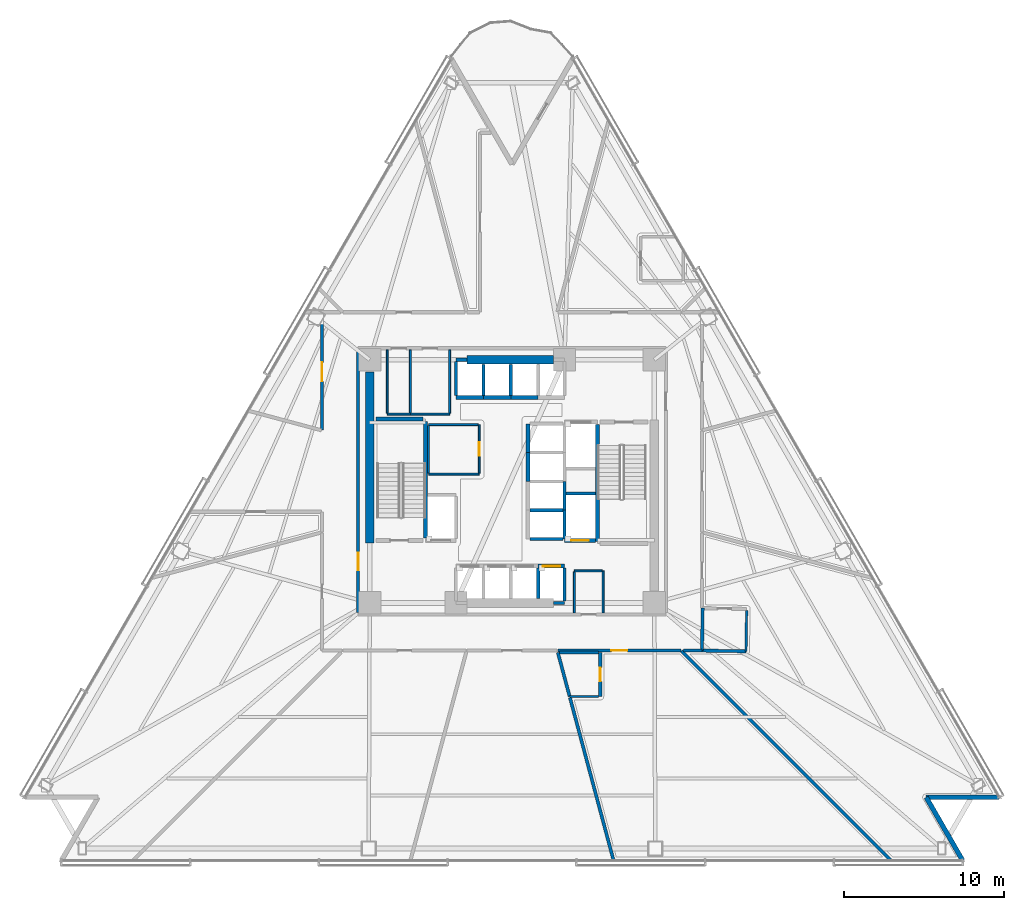
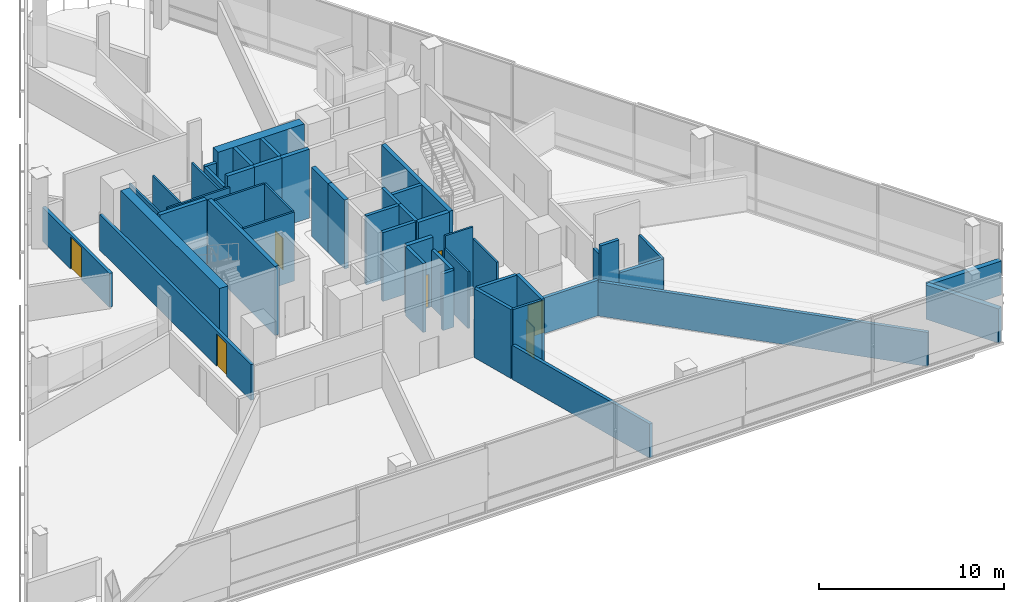
# One storey, part 8 of 17: 51 walls, 7 doors, 7 openings.
"""IFC4 building model written with IfcOpenShell, lengths in metres."""

from ifc_helpers import new_model, si_unit, direction, frame, frame_2d, origin, place, context, subcontext, project, spatial, rectangle, extrude, material, layer, layer_set, type_object, element, fill, save


model = new_model("IFC4")

# Units and contexts
model_context = context("Model", 3, precision=1e-05, world=origin(), true_north=direction((0.0, 1.0)))
body_context = subcontext(model_context, "Body", "Model", "MODEL_VIEW")
ifc_project = project(units=[si_unit("LENGTHUNIT", "METRE"), si_unit("AREAUNIT", "SQUARE_METRE"), si_unit("VOLUMEUNIT", "CUBIC_METRE"), si_unit("PLANEANGLEUNIT", "RADIAN"), si_unit("MASSUNIT", "GRAM", prefix="KILO")], contexts=[model_context])

# Site, building, storey
site_placement = place(None, origin())
site = spatial("IfcSite", under=ifc_project, at=site_placement, CompositionType="ELEMENT")
building_placement = place(site_placement, origin())
building = spatial("IfcBuilding", under=site, at=building_placement, Name="Tharavind Bronze Gate", CompositionType="ELEMENT")
storey_placement = place(building_placement, frame((0.0, 0.0, 52.25)))
storey = spatial("IfcBuildingStorey", under=building, at=storey_placement, Name="L12", CompositionType="ELEMENT", Elevation=52.25)

# Walls
ifc_material_1 = material(Name="Concrete C40/50", Category="concrete")
ifc_layer_1 = layer(ifc_material_1, 0.300048828125)
ifc_layer_set_1 = layer_set([ifc_layer_1], Name="Concrete C40/50")
wall_type_1 = type_object("IfcWallType", Name="EXTERIOR SPANDREL WALL 300", PredefinedType="STANDARD", material=ifc_layer_set_1)
wall_1_placement = place(storey_placement, frame((28.17578125, -23.699951171875, 0.0), z_axis=(0.0, 0.0, 1.0), x_axis=(-0.500014431597, 0.866017071537, 0.0)))
element("IfcWall", 1, at=wall_1_placement, inside=storey, type_object=wall_type_1, Name="L12 notch cheek wall 3A", PredefinedType="STANDARD", context=body_context, shape_type="SweptSolid", body=[
    extrude(rectangle(XDim=4.559814453125, YDim=0.300048828125, at=frame_2d((2.27978515625, 0.0))), origin(), (0.0, 0.0, 1.0), 2.2548828125),
])
wall_2_placement = place(storey_placement, frame((25.895751953125, -19.7509765625, 0.0), z_axis=(0.0, 0.0, 1.0), x_axis=(1.0, 0.0, 0.0)))
element("IfcWall", 2, at=wall_2_placement, inside=storey, type_object=wall_type_1, Name="L12 notch cheek wall 3B", PredefinedType="STANDARD", context=body_context, shape_type="SweptSolid", body=[
    extrude(rectangle(XDim=4.56005859375, YDim=0.300048828125, at=frame_2d((2.280029296875, 0.0))), origin(), (0.0, 0.0, 1.0), 2.2548828125),
])

# Wall, opening, door
ifc_material_2 = material(Name="Aerated Concrete Block", Category="concrete")
ifc_layer_2 = layer(ifc_material_2, 0.199951171875)
ifc_layer_set_2 = layer_set([ifc_layer_2], Name="Aerated Concrete Block")
wall_type_2 = type_object("IfcWallType", Name="FIRE RATED PARTITION 200", PredefinedType="PARTITIONING", material=ifc_layer_set_2)
wall_3_placement = place(storey_placement, frame((-9.6201171875, 8.199951171875, 0.0), z_axis=(0.0, 0.0, 1.0), x_axis=(0.0, -1.0, 0.0)))
wall_3 = element("IfcWall", 3, at=wall_3_placement, inside=storey, type_object=wall_type_2, Name="L12 west core corridor wall", PredefinedType="PARTITIONING", context=body_context, shape_type="SweptSolid", body=[
    extrude(rectangle(XDim=16.39990234375, YDim=0.199951171875, at=frame_2d((8.199951171875, 0.0))), origin(), (0.0, 0.0, 1.0), 2.35498046875),
])
opening_1_placement = place(wall_3_placement, frame((12.64990234375, 0.0, 0.0)))
opening_1 = element("IfcOpeningElement", 4, at=opening_1_placement, cuts=wall_3, Name="Opening ID01", PredefinedType="OPENING", context=body_context, shape_type="SweptSolid", body=[
    extrude(rectangle(XDim=1.10009765625, YDim=2.14990234375, at=frame_2d((0.550048828125, 1.074951171875))), frame((0.0, 0.11009765625, 0.0), z_axis=(0.0, -1.0, 0.0), x_axis=(1.0, 0.0, 0.0)), (0.0, 0.0, 1.0), 0.219951171875),
])
ifc_material_3 = material(Name="Fire-Rated Steel", Category="steel")
door_type_1 = type_object("IfcDoorType", Name="STAIR CORE FIRE DOOR 1100X2150", OperationType="SINGLE_SWING_LEFT", PredefinedType="DOOR", material=ifc_material_3)
door_1_placement = place(opening_1_placement, frame((1.10009765625, 0.0, 0.0), z_axis=(0.0, 0.0, 1.0), x_axis=(-1.0, 0.0, 0.0)))
door_1 = element("IfcDoor", 5, at=door_1_placement, inside=storey, type_object=door_type_1, Name="L12 south west stair lobby fire door", OperationType="SINGLE_SWING_LEFT", OverallHeight=2.14990234375, OverallWidth=1.10009765625, PredefinedType="DOOR", context=body_context, shape_type="SweptSolid", body=[
    extrude(rectangle(XDim=1.10009765625, YDim=2.14990234375, at=frame_2d((0.550048828125, 1.074951171875))), frame((0.0, 0.02490234375, 0.0), z_axis=(0.0, -1.0, 0.0), x_axis=(1.0, 0.0, 0.0)), (0.0, 0.0, 1.0), 0.050048828125),
])
fill(opening_1, door_1)

wall_4_placement = place(storey_placement, frame((5.51708984375, -10.699951171875, 0.0), z_axis=(0.0, 0.0, 1.0), x_axis=(0.0, -1.0, 0.0)))
wall_4 = element("IfcWall", 6, at=wall_4_placement, inside=storey, type_object=wall_type_2, Name="L12 En-Suite Bathroom partition", PredefinedType="PARTITIONING", context=body_context, shape_type="SweptSolid", body=[
    extrude(rectangle(XDim=2.75, YDim=0.199951171875, at=frame_2d((1.375, 0.0))), origin(), (0.0, 0.0, 1.0), 4.56005859375),
])
opening_2_placement = place(wall_4_placement, frame((0.949951171875, 0.0, 0.0)))
opening_2 = element("IfcOpeningElement", 7, at=opening_2_placement, cuts=wall_4, Name="Opening ID06", PredefinedType="OPENING", context=body_context, shape_type="SweptSolid", body=[
    extrude(rectangle(XDim=0.85009765625, YDim=2.10009765625, at=frame_2d((0.425048828125, 1.050048828125))), frame((0.0, 0.11009765625, 0.0), z_axis=(0.0, -1.0, 0.0), x_axis=(1.0, 0.0, 0.0)), (0.0, 0.0, 1.0), 0.219951171875),
])
ifc_material_4 = material(Name="Moisture-Resistant Timber", Category="wood")
door_type_2 = type_object("IfcDoorType", Name="BATHROOM PRIVACY DOOR 850X2100", OperationType="SINGLE_SWING_RIGHT", PredefinedType="DOOR", material=ifc_material_4)
door_2_placement = place(opening_2_placement, origin())
door_2 = element("IfcDoor", 8, at=door_2_placement, inside=storey, type_object=door_type_2, Name="L12 En-Suite Bathroom door", OperationType="SINGLE_SWING_RIGHT", OverallHeight=2.10009765625, OverallWidth=0.85009765625, PredefinedType="DOOR", context=body_context, shape_type="SweptSolid", body=[
    extrude(rectangle(XDim=0.85009765625, YDim=2.10009765625, at=frame_2d((0.425048828125, 1.050048828125))), frame((0.0, 0.02490234375, 0.0), z_axis=(0.0, -1.0, 0.0), x_axis=(1.0, 0.0, 0.0)), (0.0, 0.0, 1.0), 0.050048828125),
])
fill(opening_2, door_2)

# Walls
wall_5_placement = place(storey_placement, frame((3.60400390625, -13.449951171875, 0.0), z_axis=(0.0, 0.0, 1.0), x_axis=(-0.258804667121, 0.965929678743, 0.0)))
element("IfcWall", 9, at=wall_5_placement, inside=storey, type_object=wall_type_2, Name="L12 En-Suite Bathroom partition", PredefinedType="PARTITIONING", context=body_context, shape_type="SweptSolid", body=[
    extrude(rectangle(XDim=2.846923828125, YDim=0.199951171875, at=frame_2d((1.42333984375, 0.0))), origin(), (0.0, 0.0, 1.0), 4.56005859375),
])
wall_6_placement = place(storey_placement, frame((2.975830078125, -10.699951171875, 0.0), z_axis=(0.0, 0.0, 1.0), x_axis=(1.0, 0.0, 0.0)))
element("IfcWall", 10, at=wall_6_placement, inside=storey, type_object=wall_type_2, Name="L12 En-Suite Bathroom partition", PredefinedType="PARTITIONING", context=body_context, shape_type="SweptSolid", body=[
    extrude(rectangle(XDim=2.436279296875, YDim=0.199951171875, at=frame_2d((1.21826171875, 0.0))), origin(), (0.0, 0.0, 1.0), 4.56005859375),
])
wall_7_placement = place(storey_placement, frame((14.629638671875, -10.624755859375, 0.0), z_axis=(0.0, 0.0, 1.0), x_axis=(-0.999868029143, 0.016245747077, 0.0)))
element("IfcWall", 11, at=wall_7_placement, inside=storey, type_object=wall_type_2, Name="L12 En-Suite Bathroom partition", PredefinedType="PARTITIONING", context=body_context, shape_type="SweptSolid", body=[
    extrude(rectangle(XDim=2.75, YDim=0.199951171875, at=frame_2d((1.375, 0.0))), origin(), (0.0, 0.0, 1.0), 2.35498046875),
])
wall_8_placement = place(storey_placement, frame((11.8798828125, -10.578125, 0.0), z_axis=(0.0, 0.0, 1.0), x_axis=(0.016318711927, 0.999866840955, 0.0)))
element("IfcWall", 12, at=wall_8_placement, inside=storey, type_object=wall_type_2, Name="L12 En-Suite Bathroom partition", PredefinedType="PARTITIONING", context=body_context, shape_type="SweptSolid", body=[
    extrude(rectangle(XDim=2.64794921875, YDim=0.199951171875, at=frame_2d((1.323974609375, 0.0))), origin(), (0.0, 0.0, 1.0), 2.35498046875),
])

# Wall, opening, door
wall_9_placement = place(storey_placement, frame((-11.8798828125, 10.47509765625, 0.0), z_axis=(0.0, 0.0, 1.0), x_axis=(0.0, -1.0, 0.0)))
wall_9 = element("IfcWall", 13, at=wall_9_placement, inside=storey, type_object=wall_type_2, Name="L12 Hotel Guest Lounge partition", PredefinedType="PARTITIONING", context=body_context, shape_type="SweptSolid", body=[
    extrude(rectangle(XDim=7.25927734375, YDim=0.199951171875, at=frame_2d((3.629638671875, 0.0))), origin(), (0.0, 0.0, 1.0), 2.2548828125),
])
opening_3_placement = place(wall_9_placement, frame((3.030029296875, 0.0, 0.0)))
opening_3 = element("IfcOpeningElement", 14, at=opening_3_placement, cuts=wall_9, Name="Opening ID05", PredefinedType="OPENING", context=body_context, shape_type="SweptSolid", body=[
    extrude(rectangle(XDim=1.199951171875, YDim=2.14990234375, at=frame_2d((0.60009765625, 1.074951171875))), frame((0.0, 0.11009765625, 0.0), z_axis=(0.0, -1.0, 0.0), x_axis=(1.0, 0.0, 0.0)), (0.0, 0.0, 1.0), 0.219951171875),
])
ifc_material_5 = material(Name="Acoustic Laminated Glass", Category="glass")
door_type_3 = type_object("IfcDoorType", Name="MEETING ROOM GLAZED DOOR 1200X2150", OperationType="SINGLE_SWING_LEFT", PredefinedType="DOOR", material=ifc_material_5)
door_3_placement = place(opening_3_placement, origin())
door_3 = element("IfcDoor", 15, at=door_3_placement, inside=storey, type_object=door_type_3, Name="L12 Hotel Guest Lounge door", OperationType="SINGLE_SWING_LEFT", OverallHeight=2.14990234375, OverallWidth=1.199951171875, PredefinedType="DOOR", context=body_context, shape_type="SweptSolid", body=[
    extrude(rectangle(XDim=1.199951171875, YDim=2.14990234375, at=frame_2d((0.60009765625, 1.074951171875))), frame((0.0, 0.02490234375, 0.0), z_axis=(0.0, -1.0, 0.0), x_axis=(1.0, 0.0, 0.0)), (0.0, 0.0, 1.0), 0.050048828125),
])
fill(opening_3, door_3)

# Wall
wall_10_placement = place(storey_placement, frame((3.62548828125, -13.530029296875, 0.0), z_axis=(0.0, 0.0, 1.0), x_axis=(0.258804083219, -0.96592983519, 0.0)))
element("IfcWall", 16, at=wall_10_placement, inside=storey, type_object=wall_type_2, Name="L12 Hotel Guest Lounge partition", PredefinedType="PARTITIONING", context=body_context, shape_type="SweptSolid", body=[
    extrude(rectangle(XDim=10.528564453125, YDim=0.199951171875, at=frame_2d((5.26416015625, 0.0))), origin(), (0.0, 0.0, 1.0), 2.2548828125),
])

# Wall, opening, door
wall_11_placement = place(storey_placement, frame((2.867431640625, -10.580078125, 0.0), z_axis=(0.0, 0.0, 1.0), x_axis=(1.0, 0.0, 0.0)))
wall_11 = element("IfcWall", 17, at=wall_11_placement, inside=storey, type_object=wall_type_2, Name="L12 Presidential Hotel Suite partition", PredefinedType="PARTITIONING", context=body_context, shape_type="SweptSolid", body=[
    extrude(rectangle(XDim=7.7021484375, YDim=0.199951171875, at=frame_2d((3.85107421875, 0.0))), origin(), (0.0, 0.0, 1.0), 2.35498046875),
])
opening_4_placement = place(wall_11_placement, frame((3.35107421875, 0.0, 0.0)))
opening_4 = element("IfcOpeningElement", 18, at=opening_4_placement, cuts=wall_11, Name="Opening ID03", PredefinedType="OPENING", context=body_context, shape_type="SweptSolid", body=[
    extrude(rectangle(XDim=1.0, YDim=2.14990234375, at=frame_2d((0.5, 1.074951171875))), frame((0.0, 0.11009765625, 0.0), z_axis=(0.0, -1.0, 0.0), x_axis=(1.0, 0.0, 0.0)), (0.0, 0.0, 1.0), 0.219951171875),
])
ifc_material_6 = material(Name="Solid Timber Veneer", Category="wood")
door_type_4 = type_object("IfcDoorType", Name="HOTEL SUITE ENTRANCE DOOR 1000X2150", OperationType="SINGLE_SWING_LEFT", PredefinedType="DOOR", material=ifc_material_6)
door_4_placement = place(opening_4_placement, origin())
door_4 = element("IfcDoor", 19, at=door_4_placement, inside=storey, type_object=door_type_4, Name="L12 Presidential Hotel Suite door", OperationType="SINGLE_SWING_LEFT", OverallHeight=2.14990234375, OverallWidth=1.0, PredefinedType="DOOR", context=body_context, shape_type="SweptSolid", body=[
    extrude(rectangle(XDim=1.0, YDim=2.14990234375, at=frame_2d((0.5, 1.074951171875))), frame((0.0, 0.02490234375, 0.0), z_axis=(0.0, -1.0, 0.0), x_axis=(1.0, 0.0, 0.0)), (0.0, 0.0, 1.0), 0.050048828125),
])
fill(opening_4, door_4)

# Walls
wall_12_placement = place(storey_placement, frame((10.58740234375, -10.58740234375, 0.0), z_axis=(0.0, 0.0, 1.0), x_axis=(0.707106781187, -0.707106781187, 0.0)))
element("IfcWall", 20, at=wall_12_placement, inside=storey, type_object=wall_type_2, Name="L12 Presidential Hotel Suite partition", PredefinedType="PARTITIONING", context=body_context, shape_type="SweptSolid", body=[
    extrude(rectangle(XDim=18.5439453125, YDim=0.199951171875, at=frame_2d((9.27197265625, 0.0))), origin(), (0.0, 0.0, 1.0), 2.2548828125),
])
wall_13_placement = place(storey_placement, frame((10.728515625, -10.580078125, 0.0), z_axis=(0.0, 0.0, 1.0), x_axis=(1.0, 0.0, 0.0)))
element("IfcWall", 21, at=wall_13_placement, inside=storey, type_object=wall_type_2, Name="L12 Royal Hotel Suite partition", PredefinedType="PARTITIONING", context=body_context, shape_type="SweptSolid", body=[
    extrude(rectangle(XDim=1.15087890625, YDim=0.199951171875, at=frame_2d((0.575439453125, 0.0))), origin(), (0.0, 0.0, 1.0), 4.56005859375),
])
ifc_material_7 = material(Name="Metal Stud Gypsum Partition", Category="gypsum")
ifc_layer_3 = layer(ifc_material_7, 0.1201171875)
ifc_layer_set_3 = layer_set([ifc_layer_3], Name="Metal Stud Gypsum Partition")
wall_type_3 = type_object("IfcWallType", Name="INTERIOR PARTITION WALL 120", PredefinedType="PARTITIONING", material=ifc_layer_set_3)
wall_14_placement = place(storey_placement, frame((-5.219970703125, 0.449951171875, 0.0), z_axis=(0.0, 0.0, 1.0), x_axis=(1.0, 0.0, 0.0)))
element("IfcWall", 22, at=wall_14_placement, inside=storey, type_object=wall_type_3, Name="L12 Electrical & Telecom Store partition 1", PredefinedType="PARTITIONING", context=body_context, shape_type="SweptSolid", body=[
    extrude(rectangle(XDim=3.169921875, YDim=0.1201171875, at=frame_2d((1.5849609375, 0.0))), origin(), (0.0, 0.0, 1.0), 4.56005859375),
])

# Wall, opening, door
wall_15_placement = place(storey_placement, frame((-2.050048828125, 0.514892578125, 0.0), z_axis=(0.0, 0.0, 1.0), x_axis=(0.0, 1.0, 0.0)))
wall_15 = element("IfcWall", 23, at=wall_15_placement, inside=storey, type_object=wall_type_3, Name="L12 Electrical & Telecom Store partition 2", PredefinedType="PARTITIONING", context=body_context, shape_type="SweptSolid", body=[
    extrude(rectangle(XDim=3.03515625, YDim=0.1201171875, at=frame_2d((1.517578125, 0.0))), origin(), (0.0, 0.0, 1.0), 4.56005859375),
])
opening_5_placement = place(wall_15_placement, frame((1.092041015625, 0.0, 0.0)))
opening_5 = element("IfcOpeningElement", 24, at=opening_5_placement, cuts=wall_15, Name="Opening ID06", PredefinedType="OPENING", context=body_context, shape_type="SweptSolid", body=[
    extrude(rectangle(XDim=0.85009765625, YDim=2.10009765625, at=frame_2d((0.425048828125, 1.050048828125))), frame((0.0, 0.07005859375, 0.0), z_axis=(0.0, -1.0, 0.0), x_axis=(1.0, 0.0, 0.0)), (0.0, 0.0, 1.0), 0.1401171875),
])
door_5_placement = place(opening_5_placement, frame((0.85009765625, 0.0, 0.0), z_axis=(0.0, 0.0, 1.0), x_axis=(-1.0, 0.0, 0.0)))
door_5 = element("IfcDoor", 25, at=door_5_placement, inside=storey, type_object=door_type_2, Name="L12 Electrical & Telecom Store door", OperationType="SINGLE_SWING_RIGHT", OverallHeight=2.10009765625, OverallWidth=0.85009765625, PredefinedType="DOOR", context=body_context, shape_type="SweptSolid", body=[
    extrude(rectangle(XDim=0.85009765625, YDim=2.10009765625, at=frame_2d((0.425048828125, 1.050048828125))), frame((0.0, 0.02490234375, 0.0), z_axis=(0.0, -1.0, 0.0), x_axis=(1.0, 0.0, 0.0)), (0.0, 0.0, 1.0), 0.050048828125),
])
fill(opening_5, door_5)

# Walls
wall_16_placement = place(storey_placement, frame((-2.114990234375, 3.550048828125, 0.0), z_axis=(0.0, 0.0, 1.0), x_axis=(-1.0, 0.0, 0.0)))
element("IfcWall", 26, at=wall_16_placement, inside=storey, type_object=wall_type_3, Name="L12 Electrical & Telecom Store partition 3", PredefinedType="PARTITIONING", context=body_context, shape_type="SweptSolid", body=[
    extrude(rectangle(XDim=3.10498046875, YDim=0.1201171875, at=frame_2d((1.552490234375, 0.0))), origin(), (0.0, 0.0, 1.0), 4.56005859375),
])
wall_17_placement = place(storey_placement, frame((-5.219970703125, 3.485107421875, 0.0), z_axis=(0.0, 0.0, 1.0), x_axis=(0.0, -1.0, 0.0)))
element("IfcWall", 27, at=wall_17_placement, inside=storey, type_object=wall_type_3, Name="L12 Electrical & Telecom Store partition 4", PredefinedType="PARTITIONING", context=body_context, shape_type="SweptSolid", body=[
    extrude(rectangle(XDim=2.97021484375, YDim=0.1201171875, at=frame_2d((1.485107421875, 0.0))), origin(), (0.0, 0.0, 1.0), 4.56005859375),
])
wall_18_placement = place(storey_placement, frame((-7.800048828125, 4.199951171875, 0.0), z_axis=(0.0, 0.0, 1.0), x_axis=(1.0, 0.0, 0.0)))
element("IfcWall", 28, at=wall_18_placement, inside=storey, type_object=wall_type_3, Name="L12 Battery Backup Cupboard partition 1", PredefinedType="PARTITIONING", context=body_context, shape_type="SweptSolid", body=[
    extrude(rectangle(XDim=1.449951171875, YDim=0.1201171875, at=frame_2d((0.72509765625, 0.0))), origin(), (0.0, 0.0, 1.0), 4.56005859375),
])
for number, where, z_axis, x_axis, name in (
    (29, (-6.35009765625, 4.264892578125, 0.0), (0.0, 0.0, 1.0), (0.0, 1.0, 0.0), "L12 Battery Backup Cupboard partition 2"),
    (30, (-7.800048828125, 8.215087890625, 0.0), (0.0, 0.0, 1.0), (0.0, -1.0, 0.0), "L12 Battery Backup Cupboard partition 4"),
):
    element("IfcWall", number, at=place(storey_placement, frame(where, z_axis=z_axis, x_axis=x_axis)), inside=storey, type_object=wall_type_3, Name=name, PredefinedType="PARTITIONING", context=body_context, shape_type="SweptSolid", body=[
        extrude(rectangle(XDim=3.9501953125, YDim=0.1201171875, at=frame_2d((1.97509765625, 0.0))), origin(), (0.0, 0.0, 1.0), 3.7548828125),
    ])
wall_19_placement = place(storey_placement, frame((-6.35009765625, 4.199951171875, 0.0), z_axis=(0.0, 0.0, 1.0), x_axis=(1.0, 0.0, 0.0)))
element("IfcWall", 31, at=wall_19_placement, inside=storey, type_object=wall_type_3, Name="L12 Cleaner Store Room partition 1", PredefinedType="PARTITIONING", context=body_context, shape_type="SweptSolid", body=[
    extrude(rectangle(XDim=2.4501953125, YDim=0.1201171875, at=frame_2d((1.22509765625, 0.0))), origin(), (0.0, 0.0, 1.0), 4.56005859375),
])
wall_20_placement = place(storey_placement, frame((-3.89990234375, 4.264892578125, 0.0), z_axis=(0.0, 0.0, 1.0), x_axis=(0.0, 1.0, 0.0)))
element("IfcWall", 32, at=wall_20_placement, inside=storey, type_object=wall_type_3, Name="L12 Cleaner Store Room partition 2", PredefinedType="PARTITIONING", context=body_context, shape_type="SweptSolid", body=[
    extrude(rectangle(XDim=3.9501953125, YDim=0.1201171875, at=frame_2d((1.97509765625, 0.0))), origin(), (0.0, 0.0, 1.0), 3.7548828125),
])
wall_21_placement = place(storey_placement, frame((5.699951171875, -8.215087890625, 0.0), z_axis=(0.0, 0.0, 1.0), x_axis=(0.0, 1.0, 0.0)))
element("IfcWall", 33, at=wall_21_placement, inside=storey, type_object=wall_type_3, Name="L12 Janitor Store Cupboard partition 2", PredefinedType="PARTITIONING", context=body_context, shape_type="SweptSolid", body=[
    extrude(rectangle(XDim=2.614990234375, YDim=0.1201171875, at=frame_2d((1.3076171875, 0.0))), origin(), (0.0, 0.0, 1.0), 3.7548828125),
])
wall_22_placement = place(storey_placement, frame((5.635009765625, -5.60009765625, 0.0), z_axis=(0.0, 0.0, 1.0), x_axis=(-1.0, 0.0, 0.0)))
element("IfcWall", 34, at=wall_22_placement, inside=storey, type_object=wall_type_3, Name="L12 Janitor Store Cupboard partition 3", PredefinedType="PARTITIONING", context=body_context, shape_type="SweptSolid", body=[
    extrude(rectangle(XDim=1.735107421875, YDim=0.1201171875, at=frame_2d((0.86767578125, 0.0))), origin(), (0.0, 0.0, 1.0), 4.56005859375),
])
wall_23_placement = place(storey_placement, frame((3.89990234375, -5.6650390625, 0.0), z_axis=(0.0, 0.0, 1.0), x_axis=(0.0, -1.0, 0.0)))
element("IfcWall", 35, at=wall_23_placement, inside=storey, type_object=wall_type_3, Name="L12 Janitor Store Cupboard partition 4", PredefinedType="PARTITIONING", context=body_context, shape_type="SweptSolid", body=[
    extrude(rectangle(XDim=2.550048828125, YDim=0.1201171875, at=frame_2d((1.27490234375, 0.0))), origin(), (0.0, 0.0, 1.0), 3.7548828125),
])
ifc_material_8 = material(Name="Twin Stud Acoustic Gypsum", Category="gypsum")
ifc_layer_4 = layer(ifc_material_8, 0.14990234375)
ifc_layer_set_4 = layer_set([ifc_layer_4], Name="Twin Stud Acoustic Gypsum")
wall_type_4 = type_object("IfcWallType", Name="INTERIOR PARTITION WALL 150", PredefinedType="PARTITIONING", material=ifc_layer_set_4)
wall_24_placement = place(storey_placement, frame((5.412109375, -13.449951171875, 0.0), z_axis=(0.0, 0.0, 1.0), x_axis=(-1.0, 0.0, 0.0)))
element("IfcWall", 36, at=wall_24_placement, inside=storey, type_object=wall_type_4, Name="L12 En-Suite Bathroom partition", PredefinedType="PARTITIONING", context=body_context, shape_type="SweptSolid", body=[
    extrude(rectangle(XDim=1.80810546875, YDim=0.14990234375, at=frame_2d((0.904052734375, 0.0))), origin(), (0.0, 0.0, 1.0), 4.56005859375),
])
wall_25_placement = place(storey_placement, frame((14.671142578125, -8.080078125, 0.0), z_axis=(0.0, 0.0, 1.0), x_axis=(-0.016307914507, -0.99986701712, 0.0)))
element("IfcWall", 37, at=wall_25_placement, inside=storey, type_object=wall_type_4, Name="L12 En-Suite Bathroom partition", PredefinedType="PARTITIONING", context=body_context, shape_type="SweptSolid", body=[
    extrude(rectangle(XDim=2.544921875, YDim=0.14990234375, at=frame_2d((1.2724609375, 0.0))), origin(), (0.0, 0.0, 1.0), 2.35498046875),
])
ifc_material_9 = material(Name="Concrete C50/60", Category="concrete")
ifc_layer_5 = layer(ifc_material_9, 0.25)
ifc_layer_set_5 = layer_set([ifc_layer_5], Name="Concrete C50/60")
wall_type_5 = type_object("IfcWallType", Name="RC CORE SHEAR WALL 250", PredefinedType="SHEAR", material=ifc_layer_set_5)
wall_26_placement = place(storey_placement, frame((-5.39990234375, -3.550048828125, 0.0), z_axis=(0.0, 0.0, 1.0), x_axis=(0.0, 1.0, 0.0)))
element("IfcWall", 38, at=wall_26_placement, inside=storey, type_object=wall_type_5, Name="L12 ST1 shaft east wall", PredefinedType="SHEAR", context=body_context, shape_type="SweptSolid", body=[
    extrude(rectangle(XDim=7.300048828125, YDim=0.25, at=frame_2d((3.64990234375, 0.0))), origin(), (0.0, 0.0, 1.0), 4.56005859375),
])
wall_27_placement = place(storey_placement, frame((-8.5, 3.89990234375, 0.0), z_axis=(0.0, 0.0, 1.0), x_axis=(1.0, 0.0, 0.0)))
element("IfcWall", 39, at=wall_27_placement, inside=storey, type_object=wall_type_5, Name="L12 ST1 shaft north wall", PredefinedType="SHEAR", context=body_context, shape_type="SweptSolid", body=[
    extrude(rectangle(XDim=2.949951171875, YDim=0.25, at=frame_2d((1.47509765625, 0.0))), origin(), (0.0, 0.0, 1.0), 4.56005859375),
])
wall_28_placement = place(storey_placement, frame((5.35009765625, -3.75, 0.0), z_axis=(0.0, 0.0, 1.0), x_axis=(0.0, 1.0, 0.0)))
element("IfcWall", 40, at=wall_28_placement, inside=storey, type_object=wall_type_5, Name="L12 ST2 shaft west wall", PredefinedType="SHEAR", context=body_context, shape_type="SweptSolid", body=[
    extrude(rectangle(XDim=7.300048828125, YDim=0.25, at=frame_2d((3.64990234375, 0.0))), origin(), (0.0, 0.0, 1.0), 4.56005859375),
])

# Wall, opening, door
wall_29_placement = place(storey_placement, frame((1.637451171875, -5.300048828125, 0.0), z_axis=(0.0, 0.0, 1.0), x_axis=(1.0, 0.0, 0.0)))
wall_29 = element("IfcWall", 41, at=wall_29_placement, inside=storey, type_object=wall_type_5, Name="L12 lift PL4 shaft front wall", PredefinedType="SHEAR", context=body_context, shape_type="SweptSolid", body=[
    extrude(rectangle(XDim=1.642578125, YDim=0.25, at=frame_2d((0.8212890625, 0.0))), origin(), (0.0, 0.0, 1.0), 4.56005859375),
])
opening_6_placement = place(wall_29_placement, frame((0.27099609375, 0.0, 0.0)))
opening_6 = element("IfcOpeningElement", 42, at=opening_6_placement, cuts=wall_29, Name="Opening LD01", PredefinedType="OPENING", context=body_context, shape_type="SweptSolid", body=[
    extrude(rectangle(XDim=1.10009765625, YDim=2.199951171875, at=frame_2d((0.550048828125, 1.10009765625))), frame((0.0, 0.135, 0.0), z_axis=(0.0, -1.0, 0.0), x_axis=(1.0, 0.0, 0.0)), (0.0, 0.0, 1.0), 0.27),
])
ifc_material_10 = material(Name="Brushed Bronze Stainless Steel", Category="steel")
door_type_5 = type_object("IfcDoorType", Name="LIFT LANDING SLIDING DOOR 1100X2200", OperationType="SLIDING_TO_LEFT", PredefinedType="DOOR", material=ifc_material_10)
door_6_placement = place(opening_6_placement, origin())
door_6 = element("IfcDoor", 43, at=door_6_placement, inside=storey, type_object=door_type_5, Name="L12 lift PL4 sliding landing door", OperationType="SLIDING_TO_LEFT", OverallHeight=2.199951171875, OverallWidth=1.10009765625, PredefinedType="DOOR", context=body_context, shape_type="SweptSolid", body=[
    extrude(rectangle(XDim=1.10009765625, YDim=2.199951171875, at=frame_2d((0.550048828125, 1.10009765625))), frame((0.0, 0.02490234375, 0.0), z_axis=(0.0, -1.0, 0.0), x_axis=(1.0, 0.0, 0.0)), (0.0, 0.0, 1.0), 0.050048828125),
])
fill(opening_6, door_6)

# Walls
wall_30_placement = place(storey_placement, frame((-3.5, 5.25, 0.0), z_axis=(0.0, 0.0, 1.0), x_axis=(1.0, 0.0, 0.0)))
element("IfcWall", 44, at=wall_30_placement, inside=storey, type_object=wall_type_5, Name="L12 lift PL5 shaft front wall", PredefinedType="SHEAR", context=body_context, shape_type="SweptSolid", body=[
    extrude(rectangle(XDim=1.71240234375, YDim=0.25, at=frame_2d((0.856201171875, 0.0))), origin(), (0.0, 0.0, 1.0), 4.56005859375),
])
wall_31_placement = place(storey_placement, frame((-1.78759765625, 5.25, 0.0), z_axis=(0.0, 0.0, 1.0), x_axis=(1.0, 0.0, 0.0)))
element("IfcWall", 45, at=wall_31_placement, inside=storey, type_object=wall_type_5, Name="L12 lift PL6 shaft front wall", PredefinedType="SHEAR", context=body_context, shape_type="SweptSolid", body=[
    extrude(rectangle(XDim=1.712646484375, YDim=0.25, at=frame_2d((0.8564453125, 0.0))), origin(), (0.0, 0.0, 1.0), 4.56005859375),
])
wall_32_placement = place(storey_placement, frame((-0.074951171875, 5.25, 0.0), z_axis=(0.0, 0.0, 1.0), x_axis=(1.0, 0.0, 0.0)))
element("IfcWall", 46, at=wall_32_placement, inside=storey, type_object=wall_type_5, Name="L12 lift PL7 shaft front wall", PredefinedType="SHEAR", context=body_context, shape_type="SweptSolid", body=[
    extrude(rectangle(XDim=1.71240234375, YDim=0.25, at=frame_2d((0.856201171875, 0.0))), origin(), (0.0, 0.0, 1.0), 4.56005859375),
])
for number, where, z_axis, x_axis, name in (
    (47, (1.0, 0.0, 0.0), (0.0, 0.0, 1.0), (0.0, 1.0, 0.0), "L12 lift PL11 shaft front wall"),
    (48, (1.0, 1.800048828125, 0.0), (0.0, 0.0, 1.0), (0.0, 1.0, 0.0), "L12 lift PL12 shaft front wall"),
):
    element("IfcWall", number, at=place(storey_placement, frame(where, z_axis=z_axis, x_axis=x_axis)), inside=storey, type_object=wall_type_5, Name=name, PredefinedType="SHEAR", context=body_context, shape_type="SweptSolid", body=[
        extrude(rectangle(XDim=1.800048828125, YDim=0.25, at=frame_2d((0.89990234375, 0.0))), origin(), (0.0, 0.0, 1.0), 4.56005859375),
    ])

# Wall, opening, door
wall_33_placement = place(storey_placement, frame((3.280029296875, -3.699951171875, 0.0), z_axis=(0.0, 0.0, 1.0), x_axis=(1.0, 0.0, 0.0)))
wall_33 = element("IfcWall", 49, at=wall_33_placement, inside=storey, type_object=wall_type_5, Name="L12 lift SVL1 shaft front wall", PredefinedType="SHEAR", context=body_context, shape_type="SweptSolid", body=[
    extrude(rectangle(XDim=1.93994140625, YDim=0.25, at=frame_2d((0.969970703125, 0.0))), origin(), (0.0, 0.0, 1.0), 4.56005859375),
])
opening_7_placement = place(wall_33_placement, frame((0.419921875, 0.0, 0.0)))
opening_7 = element("IfcOpeningElement", 50, at=opening_7_placement, cuts=wall_33, Name="Opening LD01", PredefinedType="OPENING", context=body_context, shape_type="SweptSolid", body=[
    extrude(rectangle(XDim=1.10009765625, YDim=2.199951171875, at=frame_2d((0.550048828125, 1.10009765625))), frame((0.0, 0.135, 0.0), z_axis=(0.0, -1.0, 0.0), x_axis=(1.0, 0.0, 0.0)), (0.0, 0.0, 1.0), 0.27),
])
door_7_placement = place(opening_7_placement, origin())
door_7 = element("IfcDoor", 51, at=door_7_placement, inside=storey, type_object=door_type_5, Name="L12 lift SVL1 sliding landing door", OperationType="SLIDING_TO_LEFT", OverallHeight=2.199951171875, OverallWidth=1.10009765625, PredefinedType="DOOR", context=body_context, shape_type="SweptSolid", body=[
    extrude(rectangle(XDim=1.10009765625, YDim=2.199951171875, at=frame_2d((0.550048828125, 1.10009765625))), frame((0.0, 0.02490234375, 0.0), z_axis=(0.0, -1.0, 0.0), x_axis=(1.0, 0.0, 0.0)), (0.0, 0.0, 1.0), 0.050048828125),
])
fill(opening_7, door_7)

# Walls
ifc_material_11 = material(Name="Concrete C60/75", Category="concrete")
ifc_layer_6 = layer(ifc_material_11, 0.550048828125)
ifc_layer_set_6 = layer_set([ifc_layer_6], Name="Concrete C60/75")
wall_type_6 = type_object("IfcWallType", Name="RC CORE SHEAR WALL 550", PredefinedType="SHEAR", material=ifc_layer_set_6)
wall_34_placement = place(storey_placement, frame((-2.800048828125, 7.60009765625, 0.0), z_axis=(0.0, 0.0, 1.0), x_axis=(1.0, 0.0, 0.0)))
element("IfcWall", 52, at=wall_34_placement, inside=storey, type_object=wall_type_6, Name="L12 north core shear wall", PredefinedType="SHEAR", context=body_context, shape_type="SweptSolid", body=[
    extrude(rectangle(XDim=5.380126953125, YDim=0.550048828125, at=frame_2d((2.68994140625, 0.0))), origin(), (0.0, 0.0, 1.0), 4.56005859375),
])
wall_35_placement = place(storey_placement, frame((-8.89990234375, -3.85009765625, 0.0), z_axis=(0.0, 0.0, 1.0), x_axis=(0.0, 1.0, 0.0)))
element("IfcWall", 53, at=wall_35_placement, inside=storey, type_object=wall_type_6, Name="L12 west core shear wall", PredefinedType="SHEAR", context=body_context, shape_type="SweptSolid", body=[
    extrude(rectangle(XDim=10.7001953125, YDim=0.550048828125, at=frame_2d((5.35009765625, 0.0))), origin(), (0.0, 0.0, 1.0), 4.56005859375),
])
ifc_layer_7 = layer(ifc_material_1, 0.199951171875)
ifc_layer_set_7 = layer_set([ifc_layer_7], Name="Concrete C40/50")
wall_type_7 = type_object("IfcWallType", Name="SHAFT ENCLOSURE WALL 200", PredefinedType="PARTITIONING", material=ifc_layer_set_7)
wall_36_placement = place(storey_placement, frame((1.637451171875, -7.320068359375, 0.0), z_axis=(0.0, 0.0, 1.0), x_axis=(0.0, 1.0, 0.0)))
element("IfcWall", 54, at=wall_36_placement, inside=storey, type_object=wall_type_7, Name="L12 lift PL3 shaft E enclosure wall", PredefinedType="PARTITIONING", context=body_context, shape_type="SweptSolid", body=[
    extrude(rectangle(XDim=1.89013671875, YDim=0.199951171875, at=frame_2d((0.945068359375, 0.0))), origin(), (0.0, 0.0, 1.0), 4.56005859375),
])
wall_37_placement = place(storey_placement, frame((2.580078125, -7.60009765625, 0.0), z_axis=(0.0, 0.0, 1.0), x_axis=(1.0, 0.0, 0.0)))
element("IfcWall", 55, at=wall_37_placement, inside=storey, type_object=wall_type_7, Name="L12 lift PL4 shaft S enclosure wall", PredefinedType="PARTITIONING", context=body_context, shape_type="SweptSolid", body=[
    extrude(rectangle(XDim=0.699951171875, YDim=0.199951171875, at=frame_2d((0.35009765625, 0.0))), origin(), (0.0, 0.0, 1.0), 3.7548828125),
])
wall_38_placement = place(storey_placement, frame((3.280029296875, -7.4951171875, 0.0), z_axis=(0.0, 0.0, 1.0), x_axis=(0.0, 1.0, 0.0)))
element("IfcWall", 56, at=wall_38_placement, inside=storey, type_object=wall_type_7, Name="L12 lift PL4 shaft E enclosure wall", PredefinedType="PARTITIONING", context=body_context, shape_type="SweptSolid", body=[
    extrude(rectangle(XDim=2.065185546875, YDim=0.199951171875, at=frame_2d((1.03271484375, 0.0))), origin(), (0.0, 0.0, 1.0), 3.7548828125),
])
wall_39_placement = place(storey_placement, frame((-3.5, 7.60009765625, 0.0), z_axis=(0.0, 0.0, 1.0), x_axis=(1.0, 0.0, 0.0)))
element("IfcWall", 57, at=wall_39_placement, inside=storey, type_object=wall_type_7, Name="L12 lift PL5 shaft N enclosure wall", PredefinedType="PARTITIONING", context=body_context, shape_type="SweptSolid", body=[
    extrude(rectangle(XDim=0.699951171875, YDim=0.199951171875, at=frame_2d((0.35009765625, 0.0))), origin(), (0.0, 0.0, 1.0), 3.7548828125),
])
wall_40_placement = place(storey_placement, frame((-3.5, 5.3798828125, 0.0), z_axis=(0.0, 0.0, 1.0), x_axis=(0.0, 1.0, 0.0)))
element("IfcWall", 58, at=wall_40_placement, inside=storey, type_object=wall_type_7, Name="L12 lift PL5 shaft W enclosure wall", PredefinedType="PARTITIONING", context=body_context, shape_type="SweptSolid", body=[
    extrude(rectangle(XDim=2.115234375, YDim=0.199951171875, at=frame_2d((1.0576171875, 0.0))), origin(), (0.0, 0.0, 1.0), 3.7548828125),
])
for number, where, z_axis, x_axis, name in (
    (59, (-1.78759765625, 5.3798828125, 0.0), (0.0, 0.0, 1.0), (0.0, 1.0, 0.0), "L12 lift PL5 shaft E enclosure wall"),
    (60, (-0.074951171875, 5.3798828125, 0.0), (0.0, 0.0, 1.0), (0.0, 1.0, 0.0), "L12 lift PL6 shaft E enclosure wall"),
):
    element("IfcWall", number, at=place(storey_placement, frame(where, z_axis=z_axis, x_axis=x_axis)), inside=storey, type_object=wall_type_7, Name=name, PredefinedType="PARTITIONING", context=body_context, shape_type="SweptSolid", body=[
        extrude(rectangle(XDim=1.940185546875, YDim=0.199951171875, at=frame_2d((0.97021484375, 0.0))), origin(), (0.0, 0.0, 1.0), 4.56005859375),
    ])
wall_41_placement = place(storey_placement, frame((3.280029296875, -3.60009765625, 0.0), z_axis=(0.0, 0.0, 1.0), x_axis=(0.0, 1.0, 0.0)))
element("IfcWall", 61, at=wall_41_placement, inside=storey, type_object=wall_type_7, Name="L12 lift PL9 shaft E enclosure wall", PredefinedType="PARTITIONING", context=body_context, shape_type="SweptSolid", body=[
    extrude(rectangle(XDim=1.800048828125, YDim=0.199951171875, at=frame_2d((0.89990234375, 0.0))), origin(), (0.0, 0.0, 1.0), 4.56005859375),
])
for number, where, z_axis, x_axis, name in (
    (62, (1.1298828125, -3.60009765625, 0.0), (0.0, 0.0, 1.0), (1.0, 0.0, 0.0), "L12 lift PL9 shaft S enclosure wall"),
    (63, (1.1298828125, -1.800048828125, 0.0), (0.0, 0.0, 1.0), (1.0, 0.0, 0.0), "L12 lift PL9 shaft N enclosure wall"),
):
    element("IfcWall", number, at=place(storey_placement, frame(where, z_axis=z_axis, x_axis=x_axis)), inside=storey, type_object=wall_type_7, Name=name, PredefinedType="PARTITIONING", context=body_context, shape_type="SweptSolid", body=[
        extrude(rectangle(XDim=2.045166015625, YDim=0.199951171875, at=frame_2d((1.0224609375, 0.0))), origin(), (0.0, 0.0, 1.0), 4.56005859375),
    ])
wall_42_placement = place(storey_placement, frame((3.280029296875, -1.800048828125, 0.0), z_axis=(0.0, 0.0, 1.0), x_axis=(0.0, 1.0, 0.0)))
element("IfcWall", 64, at=wall_42_placement, inside=storey, type_object=wall_type_7, Name="L12 lift PL10 shaft E enclosure wall", PredefinedType="PARTITIONING", context=body_context, shape_type="SweptSolid", body=[
    extrude(rectangle(XDim=1.800048828125, YDim=0.199951171875, at=frame_2d((0.89990234375, 0.0))), origin(), (0.0, 0.0, 1.0), 4.56005859375),
])
wall_43_placement = place(storey_placement, frame((3.385009765625, -0.75, 0.0), z_axis=(0.0, 0.0, 1.0), x_axis=(1.0, 0.0, 0.0)))
element("IfcWall", 65, at=wall_43_placement, inside=storey, type_object=wall_type_7, Name="L12 lift SVL1 shaft N enclosure wall", PredefinedType="PARTITIONING", context=body_context, shape_type="SweptSolid", body=[
    extrude(rectangle(XDim=1.8349609375, YDim=0.199951171875, at=frame_2d((0.91748046875, 0.0))), origin(), (0.0, 0.0, 1.0), 4.56005859375),
])

save(model, "model.ifc")
